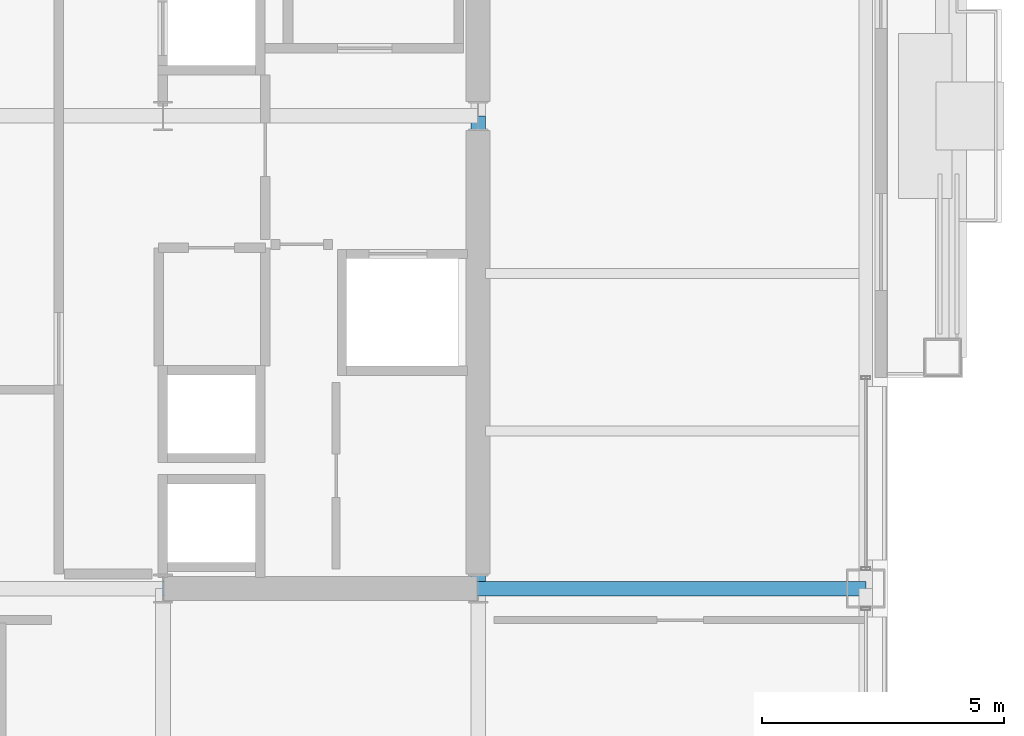
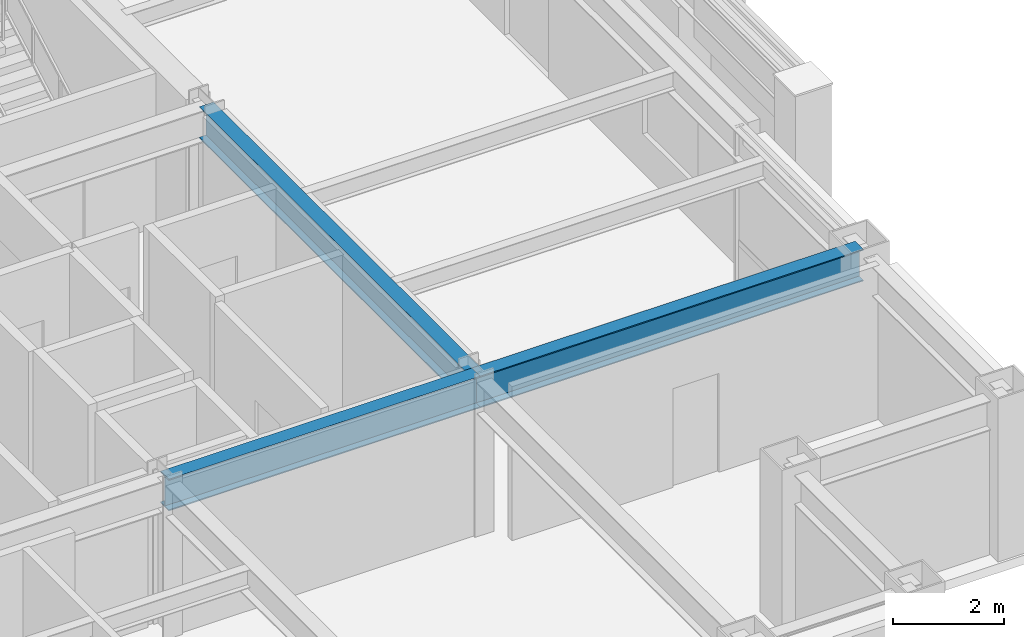
# One storey, part 13 of 29: 3 beams.
"""IFC4 building model written with IfcOpenShell, lengths in metres."""

from ifc_helpers import new_model, si_unit, direction, frame, origin, origin_2d, place, context, subcontext, project, spatial, i_section, extrude, material, material_profile, profile_set, type_object, element, save


model = new_model("IFC4")

# Units and contexts
model_context = context("Model", 3, precision=1e-05, world=origin(), true_north=direction((0.0, 1.0)))
body_context = subcontext(model_context, "Body", "Model", "MODEL_VIEW")
ifc_project = project(units=[si_unit("LENGTHUNIT", "METRE"), si_unit("AREAUNIT", "SQUARE_METRE"), si_unit("VOLUMEUNIT", "CUBIC_METRE"), si_unit("PLANEANGLEUNIT", "RADIAN"), si_unit("MASSUNIT", "GRAM", prefix="KILO")], contexts=[model_context])

# Site, building, storey
site_placement = place(None, origin())
site = spatial("IfcSite", under=ifc_project, at=site_placement, CompositionType="ELEMENT")
building_placement = place(site_placement, origin())
building = spatial("IfcBuilding", under=site, at=building_placement, Name="Brelmoor Portico Tower", CompositionType="ELEMENT")
storey_placement = place(building_placement, frame((0.0, 0.0, 138.60009765625)))
storey = spatial("IfcBuildingStorey", under=building, at=storey_placement, Name="L36", CompositionType="ELEMENT", Elevation=138.60009765625)

# Beams
ifc_material = material(Name="Steel Q355B", Category="steel")
ifc_material_profile = material_profile(ifc_material, i_section(OverallWidth=0.300048828125, OverallDepth=0.699951171875, WebThickness=0.012939453125, FlangeThickness=0.02392578125, at=origin_2d()), Name="HN 700x300x13x24")
ifc_profile_set = profile_set([ifc_material_profile], Name="Steel Q355B")
beam_type = type_object("IfcBeamType", Name="BM-PG-700", PredefinedType="BEAM", material=ifc_profile_set)
beam_1_placement = place(storey_placement, frame((14.550048828125, -9.75, 3.0498046875), z_axis=(0.0, 1.0, 0.0), x_axis=(-1.0, 0.0, 0.0)))
element("IfcBeam", 1, at=beam_1_placement, inside=storey, type_object=beam_type, Name="L36 Primary Floor Girder PG-11", PredefinedType="BEAM", context=body_context, shape_type="SweptSolid", body=[
    extrude(i_section(OverallWidth=0.300048828125, OverallDepth=0.699951171875, WebThickness=0.012939453125, FlangeThickness=0.02392578125, at=origin_2d()), origin(), (0.0, 0.0, 1.0), 9.75),
])
beam_2_placement = place(storey_placement, frame((8.050048828125, -9.75, 3.0498046875), z_axis=(1.0, 0.0, 0.0), x_axis=(0.0, 1.0, 0.0)))
element("IfcBeam", 2, at=beam_2_placement, inside=storey, type_object=beam_type, Name="L36 Primary Floor Girder PG-17", PredefinedType="BEAM", context=body_context, shape_type="SweptSolid", body=[
    extrude(i_section(OverallWidth=0.300048828125, OverallDepth=0.699951171875, WebThickness=0.012939453125, FlangeThickness=0.02392578125, at=origin_2d()), origin(), (0.0, 0.0, 1.0), 6.5),
])
beam_3_placement = place(storey_placement, frame((14.550048828125, -9.75, 3.0498046875), z_axis=(1.0, 0.0, 0.0), x_axis=(0.0, 1.0, 0.0)))
element("IfcBeam", 3, at=beam_3_placement, inside=storey, type_object=beam_type, Name="L36 Primary Floor Girder PG-18", PredefinedType="BEAM", context=body_context, shape_type="SweptSolid", body=[
    extrude(i_section(OverallWidth=0.300048828125, OverallDepth=0.699951171875, WebThickness=0.012939453125, FlangeThickness=0.02392578125, at=origin_2d()), origin(), (0.0, 0.0, 1.0), 8.0),
])

save(model, "model.ifc")
